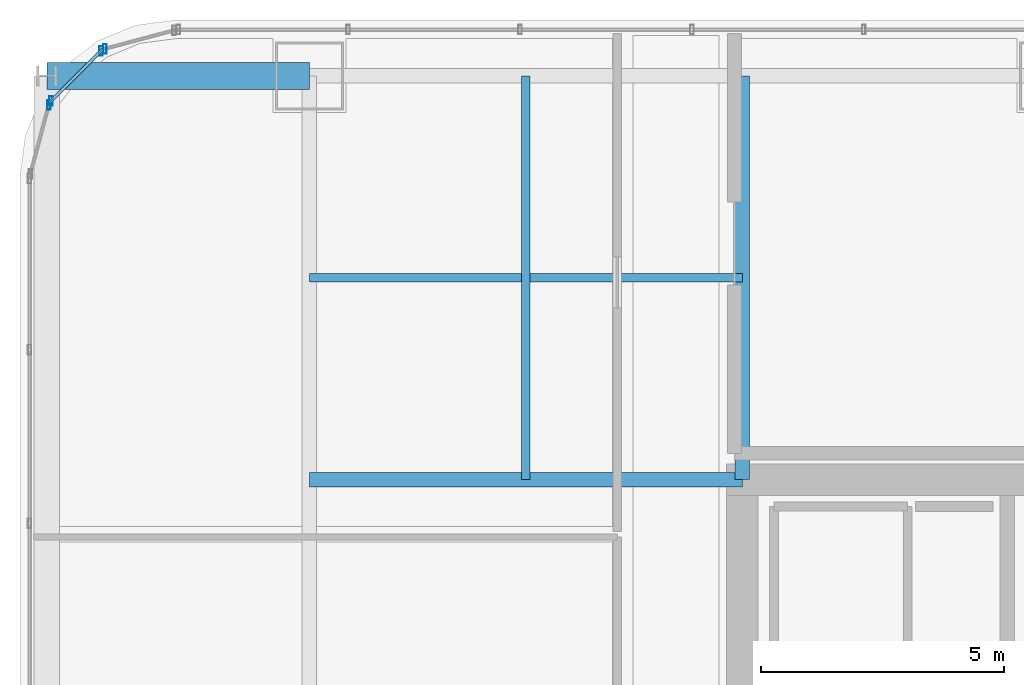
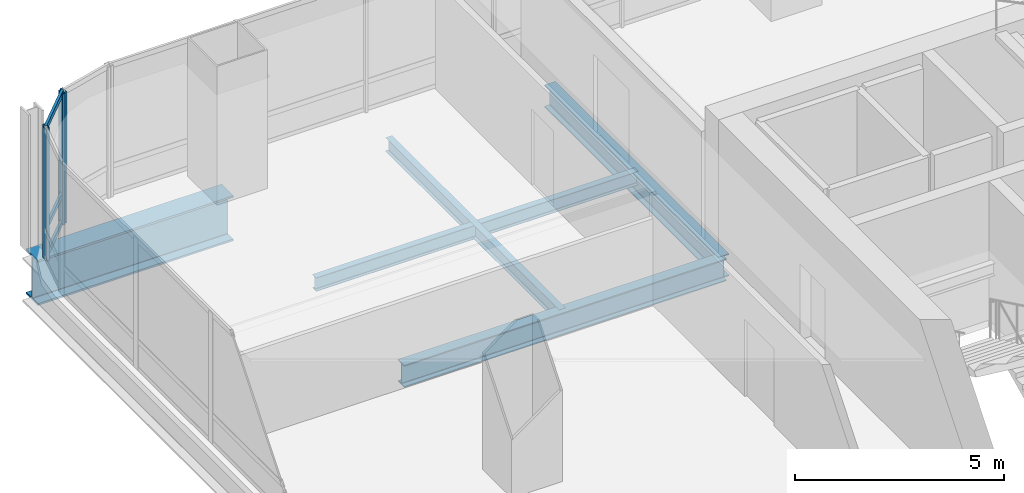
# One storey, part 19 of 36: 7 members, 5 beams, 3 elements without a shape of their own.
"""IFC4 building model written with IfcOpenShell, lengths in metres."""

from ifc_helpers import new_model, si_unit, direction, frame, origin, origin_2d, place, context, subcontext, project, spatial, hollow_rectangle, i_section, extrude, material, material_profile, profile_set, type_object, element, aggregate, save


model = new_model("IFC4")

# Units and contexts
model_context = context("Model", 3, precision=1e-05, world=origin(), true_north=direction((0.0, 1.0)))
body_context = subcontext(model_context, "Body", "Model", "MODEL_VIEW")
ifc_project = project(units=[si_unit("LENGTHUNIT", "METRE"), si_unit("AREAUNIT", "SQUARE_METRE"), si_unit("VOLUMEUNIT", "CUBIC_METRE"), si_unit("PLANEANGLEUNIT", "RADIAN"), si_unit("MASSUNIT", "GRAM", prefix="KILO")], contexts=[model_context])

# Site, building, storey
site_placement = place(None, origin())
site = spatial("IfcSite", under=ifc_project, at=site_placement, CompositionType="ELEMENT")
building_placement = place(site_placement, origin())
building = spatial("IfcBuilding", under=site, at=building_placement, Name="Punatoya Terracotta Tower", CompositionType="ELEMENT")
storey_placement = place(building_placement, frame((0.0, 0.0, 196.5)))
storey = spatial("IfcBuildingStorey", under=building, at=storey_placement, Name="L46", CompositionType="ELEMENT", Elevation=196.5)

# Beams
ifc_material_1 = material(Name="Steel S355", Category="steel")
ifc_material_profile_1 = material_profile(ifc_material_1, i_section(OverallWidth=0.300048828125, OverallDepth=0.64990234375, WebThickness=0.01611328125, FlangeThickness=0.031005859375, FilletRadius=0.01806640625, at=origin_2d()))
ifc_profile_set_1 = profile_set([ifc_material_profile_1], Name="Steel S355")
beam_type_1 = type_object("IfcBeamType", Name="BM-PRI-650", PredefinedType="BEAM", material=ifc_profile_set_1)
beam_1_placement = place(storey_placement, frame((-19.10009765625, 9.199951171875, -0.544921875), z_axis=(1.0, 0.0, 0.0), x_axis=(0.0, 1.0, 0.0)))
element("IfcBeam", 1, at=beam_1_placement, inside=storey, type_object=beam_type_1, Name="BM-L46-PR-WN", PredefinedType="BEAM", context=body_context, shape_type="SweptSolid", body=[
    extrude(i_section(OverallWidth=0.300048828125, OverallDepth=0.64990234375, WebThickness=0.01611328125, FlangeThickness=0.031005859375, FilletRadius=0.01806640625, at=origin_2d()), origin(), (0.0, 0.0, 1.0), 8.900146484375),
])
beam_2_placement = place(storey_placement, frame((-10.199951171875, 9.199951171875, -0.544921875), z_axis=(0.0, 1.0, 0.0), x_axis=(-1.0, 0.0, 0.0)))
element("IfcBeam", 2, at=beam_2_placement, inside=storey, type_object=beam_type_1, Name="BM-L46-PR-N1", PredefinedType="BEAM", context=body_context, shape_type="SweptSolid", body=[
    extrude(i_section(OverallWidth=0.300048828125, OverallDepth=0.64990234375, WebThickness=0.01611328125, FlangeThickness=0.031005859375, FilletRadius=0.01806640625, at=origin_2d()), origin(), (0.0, 0.0, 1.0), 8.300048828125),
])
ifc_material_profile_2 = material_profile(ifc_material_1, i_section(OverallWidth=0.179931640625, OverallDepth=0.39990234375, WebThickness=0.008544921875, FlangeThickness=0.013427734375, FilletRadius=0.01806640625, at=origin_2d()))
ifc_profile_set_2 = profile_set([ifc_material_profile_2], Name="Steel S355")
beam_type_2 = type_object("IfcBeamType", Name="BM-SEC-400", PredefinedType="JOIST", material=ifc_profile_set_2)
beam_3_placement = place(storey_placement, frame((-19.10009765625, 13.35009765625, -0.419921875), z_axis=(1.0, 0.0, 0.0), x_axis=(0.0, 1.0, 0.0)))
element("IfcBeam", 3, at=beam_3_placement, inside=storey, type_object=beam_type_2, Name="BM-L46-SJN-1", PredefinedType="JOIST", context=body_context, shape_type="SweptSolid", body=[
    extrude(i_section(OverallWidth=0.179931640625, OverallDepth=0.39990234375, WebThickness=0.008544921875, FlangeThickness=0.013427734375, FilletRadius=0.01806640625, at=origin_2d()), origin(), (0.0, 0.0, 1.0), 8.900146484375),
])
beam_4_placement = place(storey_placement, frame((-14.64990234375, 9.199951171875, -0.419921875), z_axis=(0.0, 1.0, 0.0), x_axis=(-1.0, 0.0, 0.0)))
element("IfcBeam", 4, at=beam_4_placement, inside=storey, type_object=beam_type_2, Name="BM-L46-SJW-2", PredefinedType="JOIST", context=body_context, shape_type="SweptSolid", body=[
    extrude(i_section(OverallWidth=0.179931640625, OverallDepth=0.39990234375, WebThickness=0.008544921875, FlangeThickness=0.013427734375, FilletRadius=0.01806640625, at=origin_2d()), origin(), (0.0, 0.0, 1.0), 8.300048828125),
])
ifc_material_2 = material(Name="Steel S460", Category="steel")
ifc_material_profile_3 = material_profile(ifc_material_2, i_section(OverallWidth=0.56005859375, OverallDepth=1.320068359375, WebThickness=0.035888671875, FlangeThickness=0.054931640625, FilletRadius=0.01806640625, at=origin_2d()))
ifc_profile_set_3 = profile_set([ifc_material_profile_3], Name="Steel S460")
beam_type_3 = type_object("IfcBeamType", Name="BM-TG-BLK", PredefinedType="BEAM", material=ifc_profile_set_3)
beam_5_placement = place(storey_placement, frame((-24.5, 17.5, -0.8798828125), z_axis=(1.0, 0.0, 0.0), x_axis=(0.0, 1.0, 0.0)))
element("IfcBeam", 5, at=beam_5_placement, inside=storey, type_object=beam_type_3, Name="BM-L46-CANT-W4", PredefinedType="BEAM", context=body_context, shape_type="SweptSolid", body=[
    extrude(i_section(OverallWidth=0.56005859375, OverallDepth=1.320068359375, WebThickness=0.035888671875, FlangeThickness=0.054931640625, FilletRadius=0.01806640625, at=origin_2d()), origin(), (0.0, 0.0, 1.0), 5.39990234375),
])

# Curtain wall, member
ifc_material_3 = material(Name="Aluminium 6063-T6 + Double Low-E Glass", Category="aluminium")
curtain_wall_type = type_object("IfcCurtainWallType", Name="CW-M2", PredefinedType="NOTDEFINED", material=ifc_material_3)
curtain_wall_1_placement = place(storey_placement, origin())
curtain_wall_1 = element("IfcCurtainWall", 6, at=curtain_wall_1_placement, inside=storey, type_object=curtain_wall_type, Name="L46 Curtain Wall CW-L46-CRN10", PredefinedType="NOTDEFINED")
ifc_material_4 = material(Name="Aluminium 6063-T6", Category="aluminium")
ifc_material_profile_4 = material_profile(ifc_material_4, hollow_rectangle(XDim=0.072021484375, YDim=0.195068359375, WallThickness=0.00439453125, at=origin_2d()))
ifc_profile_set_4 = profile_set([ifc_material_profile_4], Name="Aluminium 6063-T6")
member_type_1 = type_object("IfcMemberType", Name="CW-MUL-M2", PredefinedType="MULLION", material=ifc_profile_set_4)
member_1_placement = place(storey_placement, frame((-23.3056640625, 18.05810546875, 0.0), z_axis=(0.0, 0.0, 1.0), x_axis=(1.0, 0.0, 0.0)))
member_1 = element("IfcMember", 7, at=member_1_placement, type_object=member_type_1, Name="CW-L46-CRN10 Mullion 01", PredefinedType="MULLION", context=body_context, shape_type="SweptSolid", body=[
    extrude(hollow_rectangle(XDim=0.072021484375, YDim=0.195068359375, WallThickness=0.00439453125, at=origin_2d()), origin(), (0.0, 0.0, 1.0), 3.830078125),
])
aggregate(curtain_wall_1, [member_1])

# Curtain wall, members
curtain_wall_2_placement = place(storey_placement, origin())
curtain_wall_2 = element("IfcCurtainWall", 8, at=curtain_wall_2_placement, inside=storey, type_object=curtain_wall_type, Name="L46 Curtain Wall CW-L46-CRN11", PredefinedType="NOTDEFINED")
member_2_placement = place(storey_placement, frame((-23.380859375, 18.014892578125, 0.0), z_axis=(0.0, 0.0, 1.0), x_axis=(1.0, 0.0, 0.0)))
member_2 = element("IfcMember", 9, at=member_2_placement, type_object=member_type_1, Name="CW-L46-CRN11 Mullion 00", PredefinedType="MULLION", context=body_context, shape_type="SweptSolid", body=[
    extrude(hollow_rectangle(XDim=0.072021484375, YDim=0.195068359375, WallThickness=0.00439453125, at=origin_2d()), origin(), (0.0, 0.0, 1.0), 3.830078125),
])
member_3_placement = place(storey_placement, frame((-24.414794921875, 16.98095703125, 0.0), z_axis=(0.0, 0.0, 1.0), x_axis=(1.0, 0.0, 0.0)))
member_3 = element("IfcMember", 10, at=member_3_placement, type_object=member_type_1, Name="CW-L46-CRN11 Mullion 01", PredefinedType="MULLION", context=body_context, shape_type="SweptSolid", body=[
    extrude(hollow_rectangle(XDim=0.072021484375, YDim=0.195068359375, WallThickness=0.00439453125, at=origin_2d()), origin(), (0.0, 0.0, 1.0), 3.830078125),
])

# Curtain wall, member
curtain_wall_3_placement = place(storey_placement, origin())
curtain_wall_3 = element("IfcCurtainWall", 11, at=curtain_wall_3_placement, inside=storey, type_object=curtain_wall_type, Name="L46 Curtain Wall CW-L46-CRN12", PredefinedType="NOTDEFINED")
member_4_placement = place(storey_placement, frame((-24.458251953125, 16.905517578125, 0.0), z_axis=(0.0, 0.0, 1.0), x_axis=(1.0, 0.0, 0.0)))
member_4 = element("IfcMember", 12, at=member_4_placement, type_object=member_type_1, Name="CW-L46-CRN12 Mullion 00", PredefinedType="MULLION", context=body_context, shape_type="SweptSolid", body=[
    extrude(hollow_rectangle(XDim=0.072021484375, YDim=0.195068359375, WallThickness=0.00439453125, at=origin_2d()), origin(), (0.0, 0.0, 1.0), 3.830078125),
])
aggregate(curtain_wall_3, [member_4])

# Member
ifc_material_profile_5 = material_profile(ifc_material_4, hollow_rectangle(XDim=0.068115234375, YDim=0.14990234375, WallThickness=0.00390625, at=origin_2d()))
ifc_profile_set_5 = profile_set([ifc_material_profile_5], Name="Aluminium 6063-T6")
member_type_2 = type_object("IfcMemberType", Name="CW-TRN-TYP", PredefinedType="USERDEFINED", material=ifc_profile_set_5)
member_5_placement = place(storey_placement, frame((-23.34912109375, 18.046630859375, 0.0400390625), z_axis=(-0.707106781187, -0.707106781187, 0.0), x_axis=(0.707106781187, -0.707106781187, 0.0)))
member_5 = element("IfcMember", 13, at=member_5_placement, type_object=member_type_2, Name="CW-L46-CRN11 Transom 1", ObjectType="TRANSOM", PredefinedType="USERDEFINED", context=body_context, shape_type="SweptSolid", body=[
    extrude(hollow_rectangle(XDim=0.068115234375, YDim=0.14990234375, WallThickness=0.00390625, at=origin_2d()), origin(), (0.0, 0.0, 1.0), 1.552001953125),
])

member_6_placement = place(storey_placement, frame((-23.34912109375, 18.046630859375, 0.85009765625), z_axis=(-0.707106781187, -0.707106781187, 0.0), x_axis=(0.707106781187, -0.707106781187, 0.0)))
member_6 = element("IfcMember", 14, at=member_6_placement, type_object=member_type_2, Name="CW-L46-CRN11 Transom 2", ObjectType="TRANSOM", PredefinedType="USERDEFINED", context=body_context, shape_type="SweptSolid", body=[
    extrude(hollow_rectangle(XDim=0.068115234375, YDim=0.14990234375, WallThickness=0.00390625, at=origin_2d()), origin(), (0.0, 0.0, 1.0), 1.552001953125),
])

member_7_placement = place(storey_placement, frame((-23.34912109375, 18.046630859375, 3.7900390625), z_axis=(-0.707106781187, -0.707106781187, 0.0), x_axis=(0.707106781187, -0.707106781187, 0.0)))
member_7 = element("IfcMember", 15, at=member_7_placement, type_object=member_type_2, Name="CW-L46-CRN11 Transom 3", ObjectType="TRANSOM", PredefinedType="USERDEFINED", context=body_context, shape_type="SweptSolid", body=[
    extrude(hollow_rectangle(XDim=0.068115234375, YDim=0.14990234375, WallThickness=0.00390625, at=origin_2d()), origin(), (0.0, 0.0, 1.0), 1.552001953125),
])

aggregate(curtain_wall_2, [member_2, member_3, member_5, member_6, member_7])

save(model, "model.ifc")
